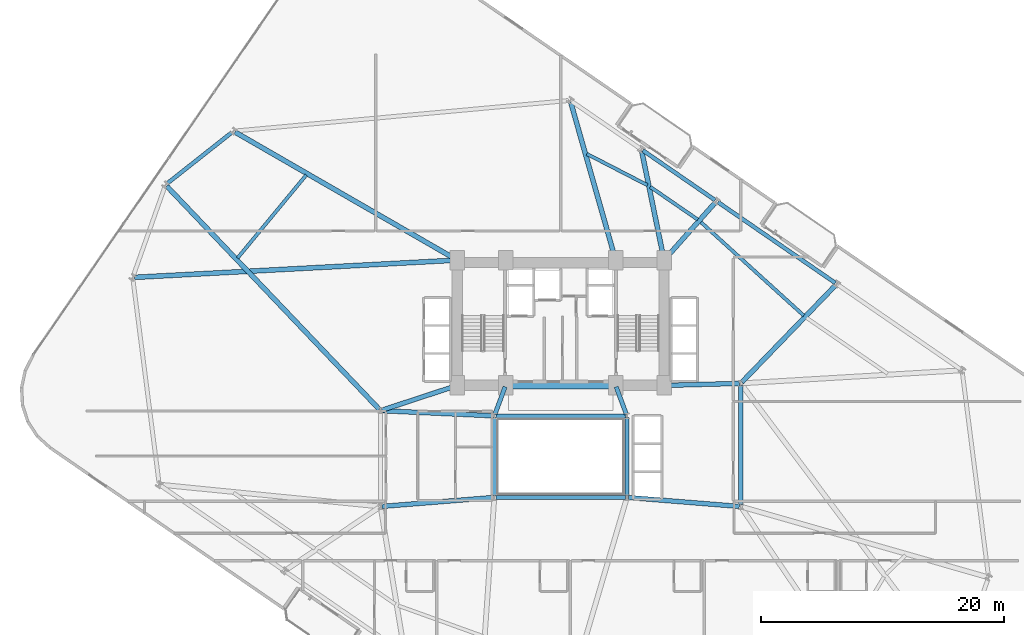
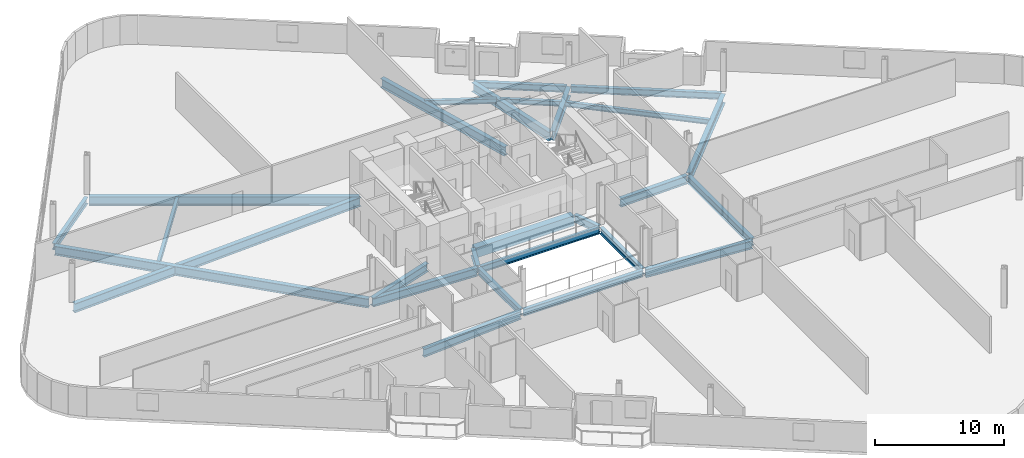
# One storey, part 5 of 24: 27 beams.
"""IFC4 building model written with IfcOpenShell, lengths in metres."""

from ifc_helpers import new_model, si_unit, direction, frame, origin, origin_2d, place, context, subcontext, project, spatial, rectangle, i_section, extrude, material, material_profile, profile_set, type_object, element, save


model = new_model("IFC4")

# Units and contexts
model_context = context("Model", 3, precision=1e-05, world=origin(), true_north=direction((0.0, 1.0)))
body_context = subcontext(model_context, "Body", "Model", "MODEL_VIEW")
ifc_project = project(units=[si_unit("LENGTHUNIT", "METRE"), si_unit("AREAUNIT", "SQUARE_METRE"), si_unit("VOLUMEUNIT", "CUBIC_METRE"), si_unit("PLANEANGLEUNIT", "RADIAN"), si_unit("MASSUNIT", "GRAM", prefix="KILO")], contexts=[model_context])

# Site, building, storey
site_placement = place(None, origin())
site = spatial("IfcSite", under=ifc_project, at=site_placement, CompositionType="ELEMENT")
building_placement = place(site_placement, origin())
building = spatial("IfcBuilding", under=site, at=building_placement, Name="Varnelok Gate Tower", CompositionType="ELEMENT")
storey_placement = place(building_placement, frame((0.0, 0.0, 41.800048828125)))
storey = spatial("IfcBuildingStorey", under=building, at=storey_placement, Name="L09", CompositionType="ELEMENT", Elevation=41.800048828125)

# Beams
ifc_material_1 = material(Name="Structural Steel ASTM A992 Grade 50", Category="steel")
ifc_material_profile_1 = material_profile(ifc_material_1, i_section(OverallWidth=0.280029296875, OverallDepth=0.462890625, WebThickness=0.0107421875, FlangeThickness=0.017333984375, FilletRadius=0.014892578125, at=origin_2d()), Name="W18X76")
ifc_profile_set_1 = profile_set([ifc_material_profile_1], Name="Structural Steel ASTM A992 Grade 50")
beam_type_1 = type_object("IfcBeamType", Name="BM-JST-W18X76", PredefinedType="JOIST", material=ifc_profile_set_1)
beam_1_placement = place(storey_placement, frame((59.18359375, 34.48681640625, -0.4814453125), z_axis=(-0.740168206595, 0.672421761952, 0.0), x_axis=(-0.672421761952, -0.740168206595, 0.0)))
element("IfcBeam", 1, at=beam_1_placement, inside=storey, type_object=beam_type_1, Name="L09 Sector Floor Joist 8", PredefinedType="JOIST", context=body_context, shape_type="SweptSolid", body=[
    extrude(i_section(OverallWidth=0.280029296875, OverallDepth=0.462890625, WebThickness=0.0107421875, FlangeThickness=0.017333984375, FilletRadius=0.014892578125, at=origin_2d()), origin(), (0.0, 0.0, 1.0), 11.474365234375),
])
beam_2_placement = place(storey_placement, frame((50.4716796875, 42.375732421875, -0.4814453125), z_axis=(-0.8235401836, 0.567257936036, 0.0), x_axis=(-0.567257936036, -0.8235401836, 0.0)))
element("IfcBeam", 2, at=beam_2_placement, inside=storey, type_object=beam_type_1, Name="L09 Sector Floor Joist 9", PredefinedType="JOIST", context=body_context, shape_type="SweptSolid", body=[
    extrude(i_section(OverallWidth=0.280029296875, OverallDepth=0.462890625, WebThickness=0.0107421875, FlangeThickness=0.017333984375, FilletRadius=0.014892578125, at=origin_2d()), origin(), (0.0, 0.0, 1.0), 4.7451171875),
])
beam_3_placement = place(storey_placement, frame((46.32421875, 45.211181640625, -0.4814453125), z_axis=(-0.888711678979, 0.458466521837, 0.0), x_axis=(-0.458466521837, -0.888711678979, 0.0)))
element("IfcBeam", 3, at=beam_3_placement, inside=storey, type_object=beam_type_1, Name="L09 Sector Floor Joist 10", PredefinedType="JOIST", context=body_context, shape_type="SweptSolid", body=[
    extrude(i_section(OverallWidth=0.280029296875, OverallDepth=0.462890625, WebThickness=0.0107421875, FlangeThickness=0.017333984375, FilletRadius=0.014892578125, at=origin_2d()), origin(), (0.0, 0.0, 1.0), 5.605712890625),
])
beam_4_placement = place(storey_placement, frame((18.29296875, 46.04248046875, -0.4814453125), z_axis=(-0.637405145463, -0.770528831736, 0.0), x_axis=(0.770528831736, -0.637405145463, 0.0)))
element("IfcBeam", 4, at=beam_4_placement, inside=storey, type_object=beam_type_1, Name="L09 Sector Floor Joist 11", PredefinedType="JOIST", context=body_context, shape_type="SweptSolid", body=[
    extrude(i_section(OverallWidth=0.280029296875, OverallDepth=0.462890625, WebThickness=0.0107421875, FlangeThickness=0.017333984375, FilletRadius=0.014892578125, at=origin_2d()), origin(), (0.0, 0.0, 1.0), 8.8525390625),
])
ifc_material_2 = material(Name="Concrete C60/75", Category="concrete")
ifc_material_profile_2 = material_profile(ifc_material_2, rectangle(XDim=0.60009765625, YDim=0.949951171875, at=origin_2d()), Name="RC950X600")
ifc_profile_set_2 = profile_set([ifc_material_profile_2], Name="Concrete C60/75")
beam_type_2 = type_object("IfcBeamType", Name="BM-LNT-RC950", PredefinedType="LINTEL", material=ifc_profile_set_2)
beam_5_placement = place(storey_placement, frame((34.800048828125, 28.75, -0.72509765625), z_axis=(1.0, 0.0, 0.0), x_axis=(0.0, 1.0, 0.0)))
element("IfcBeam", 5, at=beam_5_placement, inside=storey, type_object=beam_type_2, Name="L09 Core-Atrium Spine Beam 7", PredefinedType="LINTEL", context=body_context, shape_type="SweptSolid", body=[
    extrude(rectangle(XDim=0.60009765625, YDim=0.949951171875, at=origin_2d()), origin(), (0.0, 0.0, 1.0), 8.800048828125),
])
ifc_material_profile_3 = material_profile(ifc_material_1, i_section(OverallWidth=0.35498046875, OverallDepth=0.696044921875, WebThickness=0.015380859375, FlangeThickness=0.02490234375, FilletRadius=0.02001953125, at=origin_2d()), Name="W27X146")
ifc_profile_set_3 = profile_set([ifc_material_profile_3], Name="Structural Steel ASTM A992 Grade 50")
beam_type_3 = type_object("IfcBeamType", Name="BM-PRI-W27X146", PredefinedType="BEAM", material=ifc_profile_set_3)
for number, where, z_axis, x_axis, name in (
    (6, (33.791748046875, 26.362548828125, -0.59814453125), (0.348719329408, 0.937227202602, 0.0), (-0.937227202602, 0.348719329408, 0.0), "L09 Core-Atrium Spine Beam 12"),
    (7, (44.608154296875, 26.362548828125, -0.59814453125), (-0.348719329408, 0.937227202602, 0.0), (-0.937227202602, -0.348719329408, 0.0), "L09 Core-Atrium Spine Beam 13"),
):
    element("IfcBeam", number, at=place(storey_placement, frame(where, z_axis=z_axis, x_axis=x_axis)), inside=storey, type_object=beam_type_3, Name=name, PredefinedType="BEAM", context=body_context, shape_type="SweptSolid", body=[
        extrude(i_section(OverallWidth=0.35498046875, OverallDepth=0.696044921875, WebThickness=0.015380859375, FlangeThickness=0.02490234375, FilletRadius=0.02001953125, at=origin_2d()), origin(), (0.0, 0.0, 1.0), 2.42724609375),
    ])
beam_6_placement = place(storey_placement, frame((54.0, 18.919921875, -0.59814453125), z_axis=(0.0, 1.0, 0.0), x_axis=(-1.0, 0.0, 0.0)))
element("IfcBeam", 8, at=beam_6_placement, inside=storey, type_object=beam_type_3, Name="L09 Core-Atrium Spine Beam 20", PredefinedType="BEAM", context=body_context, shape_type="SweptSolid", body=[
    extrude(i_section(OverallWidth=0.35498046875, OverallDepth=0.696044921875, WebThickness=0.015380859375, FlangeThickness=0.02490234375, FilletRadius=0.02001953125, at=origin_2d()), origin(), (0.0, 0.0, 1.0), 9.880126953125),
])
ifc_material_profile_4 = material_profile(ifc_material_1, i_section(OverallWidth=0.381103515625, OverallDepth=0.77294921875, WebThickness=0.0166015625, FlangeThickness=0.027099609375, FilletRadius=0.02197265625, at=origin_2d()), Name="W30X173")
ifc_profile_set_4 = profile_set([ifc_material_profile_4], Name="Structural Steel ASTM A992 Grade 50")
beam_type_4 = type_object("IfcBeamType", Name="BM-PRI-W30X173", PredefinedType="BEAM", material=ifc_profile_set_4)
beam_7_placement = place(storey_placement, frame((24.51953125, 18.8095703125, -0.636474609375), z_axis=(0.996799206292, 0.07994587128, 0.0), x_axis=(-0.07994587128, 0.996799206292, 0.0)))
element("IfcBeam", 9, at=beam_7_placement, inside=storey, type_object=beam_type_4, Name="L09 Core-Atrium Spine Beam 14", PredefinedType="BEAM", context=body_context, shape_type="SweptSolid", body=[
    extrude(i_section(OverallWidth=0.381103515625, OverallDepth=0.77294921875, WebThickness=0.0166015625, FlangeThickness=0.027099609375, FilletRadius=0.02197265625, at=origin_2d()), origin(), (0.0, 0.0, 1.0), 9.14013671875),
])
beam_8_placement = place(storey_placement, frame((24.52001953125, 26.674560546875, -0.636474609375), z_axis=(0.99894427814, -0.045938319209, 0.0), x_axis=(0.045938319209, 0.99894427814, 0.0)))
element("IfcBeam", 10, at=beam_8_placement, inside=storey, type_object=beam_type_4, Name="L09 Core-Atrium Spine Beam 15", PredefinedType="BEAM", context=body_context, shape_type="SweptSolid", body=[
    extrude(i_section(OverallWidth=0.381103515625, OverallDepth=0.77294921875, WebThickness=0.0166015625, FlangeThickness=0.027099609375, FilletRadius=0.02197265625, at=origin_2d()), origin(), (0.0, 0.0, 1.0), 9.11962890625),
])
beam_9_placement = place(storey_placement, frame((24.513916015625, 26.717529296875, -0.636474609375), z_axis=(0.950041943788, 0.312122259768, 0.0), x_axis=(-0.312122259768, 0.950041943788, 0.0)))
element("IfcBeam", 11, at=beam_9_placement, inside=storey, type_object=beam_type_4, Name="L09 Core-Atrium Spine Beam 17", PredefinedType="BEAM", context=body_context, shape_type="SweptSolid", body=[
    extrude(i_section(OverallWidth=0.381103515625, OverallDepth=0.77294921875, WebThickness=0.0166015625, FlangeThickness=0.027099609375, FilletRadius=0.02197265625, at=origin_2d()), origin(), (0.0, 0.0, 1.0), 6.391357421875),
])
beam_10_placement = place(storey_placement, frame((44.76953125, 19.540283203125, -0.636474609375), z_axis=(0.996799206292, -0.07994587128, 0.0), x_axis=(0.07994587128, 0.996799206292, 0.0)))
element("IfcBeam", 12, at=beam_10_placement, inside=storey, type_object=beam_type_4, Name="L09 Core-Atrium Spine Beam 18", PredefinedType="BEAM", context=body_context, shape_type="SweptSolid", body=[
    extrude(i_section(OverallWidth=0.381103515625, OverallDepth=0.77294921875, WebThickness=0.0166015625, FlangeThickness=0.027099609375, FilletRadius=0.02197265625, at=origin_2d()), origin(), (0.0, 0.0, 1.0), 9.14013671875),
])
beam_11_placement = place(storey_placement, frame((47.820068359375, 28.753173828125, -0.636474609375), z_axis=(0.999635880609, 0.026983443053, 0.0), x_axis=(-0.026983443053, 0.999635880609, 0.0)))
element("IfcBeam", 13, at=beam_11_placement, inside=storey, type_object=beam_type_4, Name="L09 Core-Atrium Spine Beam 19", PredefinedType="BEAM", context=body_context, shape_type="SweptSolid", body=[
    extrude(i_section(OverallWidth=0.381103515625, OverallDepth=0.77294921875, WebThickness=0.0166015625, FlangeThickness=0.027099609375, FilletRadius=0.02197265625, at=origin_2d()), origin(), (0.0, 0.0, 1.0), 6.06201171875),
])
ifc_material_profile_5 = material_profile(ifc_material_1, i_section(OverallWidth=0.39892578125, OverallDepth=0.85498046875, WebThickness=0.018310546875, FlangeThickness=0.029296875, FilletRadius=0.02392578125, at=origin_2d()), Name="W33X201")
ifc_profile_set_5 = profile_set([ifc_material_profile_5], Name="Structural Steel ASTM A992 Grade 50")
beam_type_5 = type_object("IfcBeamType", Name="BM-PRI-W33X201", PredefinedType="BEAM", material=ifc_profile_set_5)
beam_12_placement = place(storey_placement, frame((54.104248046875, 29.02783203125, -0.677490234375), z_axis=(0.694813956558, 0.719189520066, 0.0), x_axis=(-0.719189520066, 0.694813956558, 0.0)))
element("IfcBeam", 14, at=beam_12_placement, inside=storey, type_object=beam_type_5, Name="L09 Radial Floor Girder 10", PredefinedType="BEAM", context=body_context, shape_type="SweptSolid", body=[
    extrude(i_section(OverallWidth=0.39892578125, OverallDepth=0.85498046875, WebThickness=0.018310546875, FlangeThickness=0.029296875, FilletRadius=0.02392578125, at=origin_2d()), origin(), (0.0, 0.0, 1.0), 11.057373046875),
])
beam_13_placement = place(storey_placement, frame((47.7998046875, 39.162109375, -0.677490234375), z_axis=(0.664520653518, 0.747269898395, 0.0), x_axis=(-0.747269898395, 0.664520653518, 0.0)))
element("IfcBeam", 15, at=beam_13_placement, inside=storey, type_object=beam_type_5, Name="L09 Radial Floor Girder 11", PredefinedType="BEAM", context=body_context, shape_type="SweptSolid", body=[
    extrude(i_section(OverallWidth=0.39892578125, OverallDepth=0.85498046875, WebThickness=0.018310546875, FlangeThickness=0.029296875, FilletRadius=0.02392578125, at=origin_2d()), origin(), (0.0, 0.0, 1.0), 6.18408203125),
])
beam_14_placement = place(storey_placement, frame((47.669921875, 39.197021484375, -0.677490234375), z_axis=(-0.201054404261, 0.979580076628, 0.0), x_axis=(-0.979580076628, -0.201054404261, 0.0)))
element("IfcBeam", 16, at=beam_14_placement, inside=storey, type_object=beam_type_5, Name="L09 Radial Floor Girder 12", PredefinedType="BEAM", context=body_context, shape_type="SweptSolid", body=[
    extrude(i_section(OverallWidth=0.39892578125, OverallDepth=0.85498046875, WebThickness=0.018310546875, FlangeThickness=0.029296875, FilletRadius=0.02392578125, at=origin_2d()), origin(), (0.0, 0.0, 1.0), 8.989501953125),
])
beam_15_placement = place(storey_placement, frame((43.678955078125, 39.1943359375, -0.677490234375), z_axis=(-0.273636323057, 0.961833230193, 0.0), x_axis=(-0.961833230193, -0.273636323057, 0.0)))
element("IfcBeam", 17, at=beam_15_placement, inside=storey, type_object=beam_type_5, Name="L09 Radial Floor Girder 13", PredefinedType="BEAM", context=body_context, shape_type="SweptSolid", body=[
    extrude(i_section(OverallWidth=0.39892578125, OverallDepth=0.85498046875, WebThickness=0.018310546875, FlangeThickness=0.029296875, FilletRadius=0.02392578125, at=origin_2d()), origin(), (0.0, 0.0, 1.0), 13.348388671875),
])
beam_16_placement = place(storey_placement, frame((30.570068359375, 39.125, -0.677490234375), z_axis=(-0.866373398512, 0.499396770465, 0.0), x_axis=(-0.499396770465, -0.866373398512, 0.0)))
element("IfcBeam", 18, at=beam_16_placement, inside=storey, type_object=beam_type_5, Name="L09 Radial Floor Girder 14", PredefinedType="BEAM", context=body_context, shape_type="SweptSolid", body=[
    extrude(i_section(OverallWidth=0.39892578125, OverallDepth=0.85498046875, WebThickness=0.018310546875, FlangeThickness=0.029296875, FilletRadius=0.02392578125, at=origin_2d()), origin(), (0.0, 0.0, 1.0), 20.920166015625),
])
beam_17_placement = place(storey_placement, frame((24.296630859375, 26.78857421875, -0.677490234375), z_axis=(-0.68957548794, 0.72421381265, 0.0), x_axis=(-0.72421381265, -0.68957548794, 0.0)))
element("IfcBeam", 19, at=beam_17_placement, inside=storey, type_object=beam_type_5, Name="L09 Radial Floor Girder 15", PredefinedType="BEAM", context=body_context, shape_type="SweptSolid", body=[
    extrude(i_section(OverallWidth=0.39892578125, OverallDepth=0.85498046875, WebThickness=0.018310546875, FlangeThickness=0.029296875, FilletRadius=0.02392578125, at=origin_2d()), origin(), (0.0, 0.0, 1.0), 25.324462890625),
])
beam_18_placement = place(storey_placement, frame((30.55029296875, 39.0419921875, -0.677490234375), z_axis=(-0.998572952572, -0.053404666383, 0.0), x_axis=(0.053404666383, -0.998572952572, 0.0)))
element("IfcBeam", 20, at=beam_18_placement, inside=storey, type_object=beam_type_5, Name="L09 Radial Floor Girder 16", PredefinedType="BEAM", context=body_context, shape_type="SweptSolid", body=[
    extrude(i_section(OverallWidth=0.39892578125, OverallDepth=0.85498046875, WebThickness=0.018310546875, FlangeThickness=0.029296875, FilletRadius=0.02392578125, at=origin_2d()), origin(), (0.0, 0.0, 1.0), 26.405029296875),
])
ifc_material_profile_6 = material_profile(ifc_material_1, i_section(OverallWidth=0.323974609375, OverallDepth=0.611083984375, WebThickness=0.0126953125, FlangeThickness=0.01904296875, FilletRadius=0.01806640625, at=origin_2d()), Name="W24X104")
ifc_profile_set_6 = profile_set([ifc_material_profile_6], Name="Structural Steel ASTM A992 Grade 50")
beam_type_6 = type_object("IfcBeamType", Name="BM-SPN-W24X104", PredefinedType="SPANDREL", material=ifc_profile_set_6)
for number, where, z_axis, x_axis, name in (
    (21, (33.8701171875, 19.550048828125, -0.5556640625), (1.0, 0.0, 0.0), (0.0, 1.0, 0.0), "L09 Core-Atrium Spine Beam 8"),
    (22, (33.8701171875, 26.25, -0.5556640625), (1.0, 0.0, 0.0), (0.0, 1.0, 0.0), "L09 Core-Atrium Spine Beam 9"),
):
    element("IfcBeam", number, at=place(storey_placement, frame(where, z_axis=z_axis, x_axis=x_axis)), inside=storey, type_object=beam_type_6, Name=name, PredefinedType="SPANDREL", context=body_context, shape_type="SweptSolid", body=[
        extrude(i_section(OverallWidth=0.323974609375, OverallDepth=0.611083984375, WebThickness=0.0126953125, FlangeThickness=0.01904296875, FilletRadius=0.01806640625, at=origin_2d()), origin(), (0.0, 0.0, 1.0), 10.659912109375),
    ])
for number, where, z_axis, x_axis, name in (
    (23, (33.75, 19.669921875, -0.5556640625), (0.0, 1.0, 0.0), (-1.0, 0.0, 0.0), "L09 Core-Atrium Spine Beam 10"),
    (24, (44.64990234375, 19.669921875, -0.5556640625), (0.0, 1.0, 0.0), (-1.0, 0.0, 0.0), "L09 Core-Atrium Spine Beam 11"),
):
    element("IfcBeam", number, at=place(storey_placement, frame(where, z_axis=z_axis, x_axis=x_axis)), inside=storey, type_object=beam_type_6, Name=name, PredefinedType="SPANDREL", context=body_context, shape_type="SweptSolid", body=[
        extrude(i_section(OverallWidth=0.323974609375, OverallDepth=0.611083984375, WebThickness=0.0126953125, FlangeThickness=0.01904296875, FilletRadius=0.01806640625, at=origin_2d()), origin(), (0.0, 0.0, 1.0), 6.4599609375),
    ])
beam_19_placement = place(storey_placement, frame((61.767822265625, 37.173095703125, -0.5556640625), z_axis=(-0.82353077968, 0.567271588324, 0.0), x_axis=(-0.567271588324, -0.82353077968, 0.0)))
element("IfcBeam", 25, at=beam_19_placement, inside=storey, type_object=beam_type_6, Name="L09 Perimeter Spandrel Beam 10", PredefinedType="SPANDREL", context=body_context, shape_type="SweptSolid", body=[
    extrude(i_section(OverallWidth=0.323974609375, OverallDepth=0.611083984375, WebThickness=0.0126953125, FlangeThickness=0.01904296875, FilletRadius=0.01806640625, at=origin_2d()), origin(), (0.0, 0.0, 1.0), 11.7001953125),
])
beam_20_placement = place(storey_placement, frame((51.885498046875, 43.98046875, -0.5556640625), z_axis=(-0.823550897395, 0.567242381527, 0.0), x_axis=(-0.567242381527, -0.823550897395, 0.0)))
element("IfcBeam", 26, at=beam_20_placement, inside=storey, type_object=beam_type_6, Name="L09 Perimeter Spandrel Beam 11", PredefinedType="SPANDREL", context=body_context, shape_type="SweptSolid", body=[
    extrude(i_section(OverallWidth=0.323974609375, OverallDepth=0.611083984375, WebThickness=0.0126953125, FlangeThickness=0.01904296875, FilletRadius=0.01806640625, at=origin_2d()), origin(), (0.0, 0.0, 1.0), 7.2001953125),
])
beam_21_placement = place(storey_placement, frame((12.197509765625, 49.554443359375, -0.5556640625), z_axis=(-0.784860761341, -0.619672159538, 0.0), x_axis=(0.619672159538, -0.784860761341, 0.0)))
element("IfcBeam", 27, at=beam_21_placement, inside=storey, type_object=beam_type_6, Name="L09 Perimeter Spandrel Beam 14", PredefinedType="SPANDREL", context=body_context, shape_type="SweptSolid", body=[
    extrude(i_section(OverallWidth=0.323974609375, OverallDepth=0.611083984375, WebThickness=0.0126953125, FlangeThickness=0.01904296875, FilletRadius=0.01806640625, at=origin_2d()), origin(), (0.0, 0.0, 1.0), 6.81640625),
])

save(model, "model.ifc")
